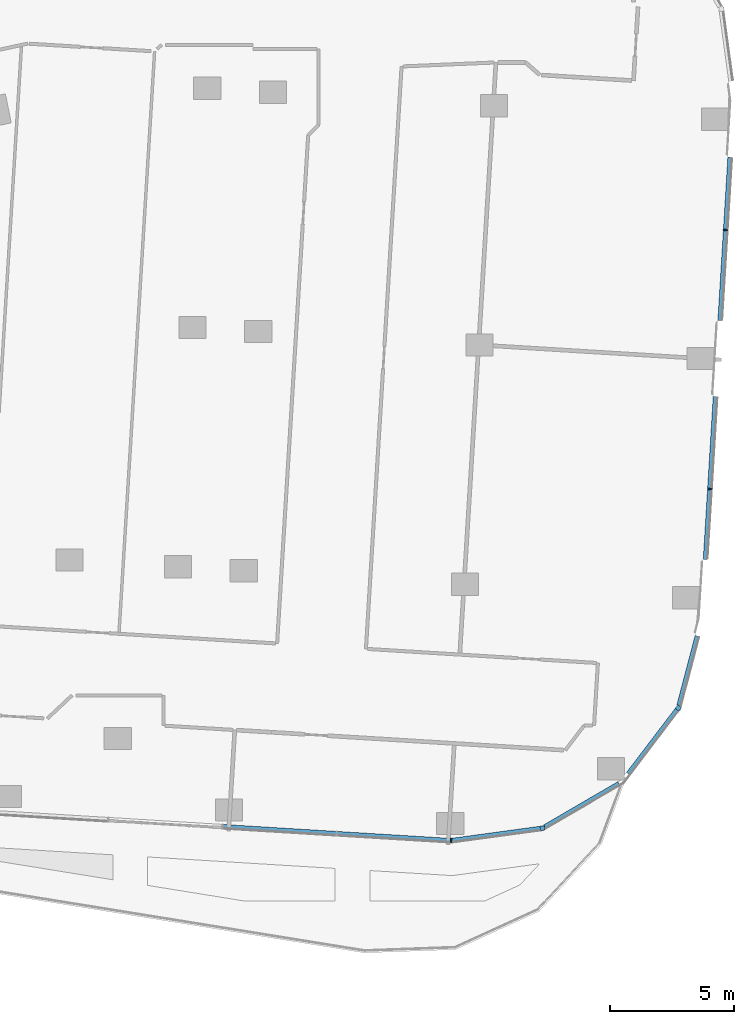
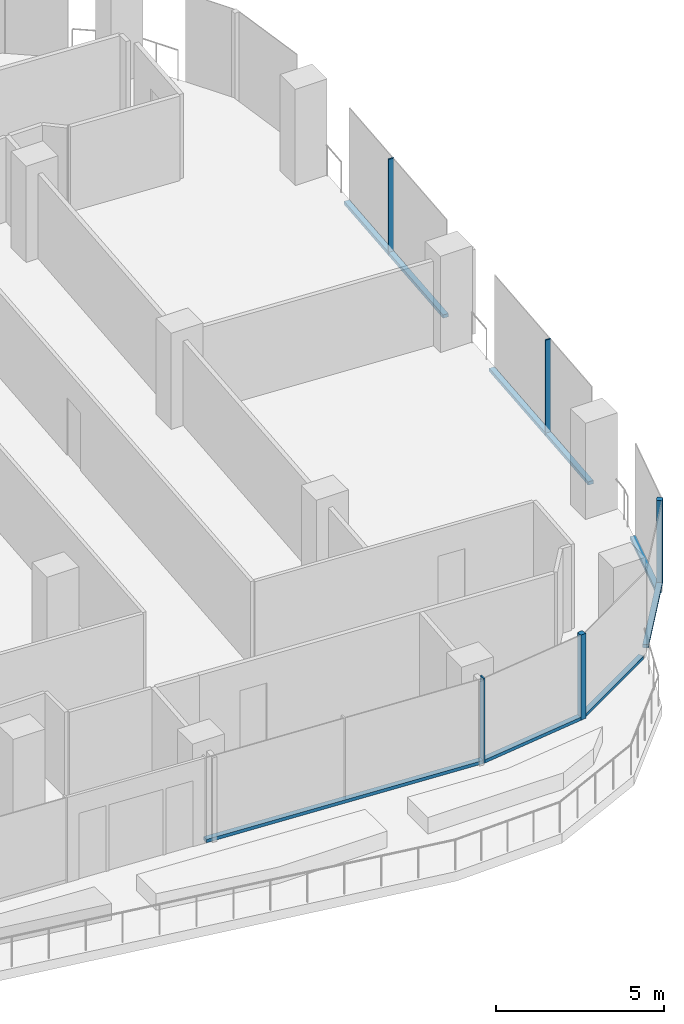
# One storey, part 8 of 34: 12 members, 6 elements without a shape of their own.
"""IFC4 building model written with IfcOpenShell, lengths in metres."""

from ifc_helpers import new_model, si_unit, direction, frame, origin, origin_2d, place, context, subcontext, project, spatial, rectangle, extrude, material, material_profile, profile_set, type_object, element, aggregate, save


model = new_model("IFC4")

# Units and contexts
model_context = context("Model", 3, precision=1e-05, world=origin(), true_north=direction((0.0, 1.0)))
body_context = subcontext(model_context, "Body", "Model", "MODEL_VIEW")
ifc_project = project(units=[si_unit("LENGTHUNIT", "METRE"), si_unit("AREAUNIT", "SQUARE_METRE"), si_unit("VOLUMEUNIT", "CUBIC_METRE"), si_unit("PLANEANGLEUNIT", "RADIAN"), si_unit("MASSUNIT", "GRAM", prefix="KILO")], contexts=[model_context])

# Site, building, storey
site_placement = place(None, origin())
site = spatial("IfcSite", under=ifc_project, at=site_placement, CompositionType="ELEMENT")
building_placement = place(site_placement, origin())
building = spatial("IfcBuilding", under=site, at=building_placement, Name="Orlundy Tower", CompositionType="ELEMENT")
storey_placement = place(building_placement, frame((0.0, 0.0, 145.60009765625)))
storey = spatial("IfcBuildingStorey", under=building, at=storey_placement, Name="L37", CompositionType="ELEMENT", Elevation=145.60009765625)

# Curtain wall, member
ifc_material_1 = material(Name="Aluminium bronze anodised", Category="aluminium")
curtain_wall_type = type_object("IfcCurtainWallType", Name="CW1 wall", PredefinedType="NOTDEFINED", material=ifc_material_1)
curtain_wall_1_placement = place(storey_placement, origin())
curtain_wall_1 = element("IfcCurtainWall", 1, at=curtain_wall_1_placement, inside=storey, type_object=curtain_wall_type, Name="CW1 run 025", PredefinedType="NOTDEFINED")
ifc_material_2 = material(Name="Aluminium bronze anodised", Category="aluminium")
ifc_material_profile_1 = material_profile(ifc_material_2, rectangle(XDim=0.179931640625, YDim=0.179931640625, at=origin_2d()), Name="CW1 corner post 180x180")
ifc_profile_set_1 = profile_set([ifc_material_profile_1], Name="Aluminium bronze anodised")
member_type_1 = type_object("IfcMemberType", Name="CW1 corner post 180x180", PredefinedType="MULLION", material=ifc_profile_set_1)
member_1_placement = place(storey_placement, frame((58.884521484375, -17.79833984375, 0.0), z_axis=(0.0, 0.0, 1.0), x_axis=(0.796131001065, -0.605124308835, 0.0)))
member_1 = element("IfcMember", 2, at=member_1_placement, type_object=member_type_1, Name="CW1 mullion 66", PredefinedType="MULLION", context=body_context, shape_type="SweptSolid", body=[
    extrude(rectangle(XDim=0.179931640625, YDim=0.179931640625, at=origin_2d()), origin(), (0.0, 0.0, 1.0), 3.099853515625),
])

curtain_wall_2_placement = place(storey_placement, origin())
curtain_wall_2 = element("IfcCurtainWall", 3, at=curtain_wall_2_placement, inside=storey, type_object=curtain_wall_type, Name="CW1 run 027", PredefinedType="NOTDEFINED")
member_2_placement = place(storey_placement, frame((53.386962890625, -22.662841796875, 0.0), z_axis=(0.0, 0.0, 1.0), x_axis=(0.134884472094, -0.990861331967, 0.0)))
member_2 = element("IfcMember", 4, at=member_2_placement, type_object=member_type_1, Name="CW1 mullion 68", PredefinedType="MULLION", context=body_context, shape_type="SweptSolid", body=[
    extrude(rectangle(XDim=0.179931640625, YDim=0.179931640625, at=origin_2d()), origin(), (0.0, 0.0, 1.0), 3.099853515625),
])

curtain_wall_3_placement = place(storey_placement, origin())
curtain_wall_3 = element("IfcCurtainWall", 5, at=curtain_wall_3_placement, inside=storey, type_object=curtain_wall_type, Name="CW1 run 00", PredefinedType="NOTDEFINED")
ifc_material_3 = material(Name="Aluminium bronze anodised", Category="aluminium")
ifc_material_profile_2 = material_profile(ifc_material_3, rectangle(XDim=0.179931640625, YDim=0.050048828125, at=origin_2d()), Name="CW1 mullion 50x180")
ifc_profile_set_2 = profile_set([ifc_material_profile_2], Name="Aluminium bronze anodised")
member_type_2 = type_object("IfcMemberType", Name="CW1 mullion 50x180", PredefinedType="MULLION", material=ifc_profile_set_2)
member_3_placement = place(storey_placement, frame((49.687255859375, -23.166259765625, 0.0), z_axis=(0.0, 0.0, 1.0), x_axis=(0.037099562394, -0.99931157427, 0.0)))
member_3 = element("IfcMember", 6, at=member_3_placement, type_object=member_type_2, Name="CW1 mullion 1", PredefinedType="MULLION", context=body_context, shape_type="SweptSolid", body=[
    extrude(rectangle(XDim=0.179931640625, YDim=0.050048828125, at=origin_2d()), origin(), (0.0, 0.0, 1.0), 3.099853515625),
])

# Curtain wall, members
curtain_wall_4_placement = place(storey_placement, origin())
curtain_wall_4 = element("IfcCurtainWall", 7, at=curtain_wall_4_placement, inside=storey, type_object=curtain_wall_type, Name="CW1 run 023", PredefinedType="NOTDEFINED")
member_4_placement = place(storey_placement, frame((60.79736328125, 1.541259765625, -0.400146484375), z_axis=(0.0, 0.0, 1.0), x_axis=(0.998134884544, -0.061047131434, 0.0)))
member_4 = element("IfcMember", 8, at=member_4_placement, type_object=member_type_2, Name="CW1 mullion 62", PredefinedType="MULLION", context=body_context, shape_type="SweptSolid", body=[
    extrude(rectangle(XDim=0.179931640625, YDim=0.050048828125, at=origin_2d()), origin(), (0.0, 0.0, 1.0), 3.5),
])
member_5_placement = place(storey_placement, frame((60.15625, -8.939208984375, -0.400146484375), z_axis=(0.0, 0.0, 1.0), x_axis=(0.998134884544, -0.061047131434, 0.0)))
member_5 = element("IfcMember", 9, at=member_5_placement, type_object=member_type_2, Name="CW1 mullion 64", PredefinedType="MULLION", context=body_context, shape_type="SweptSolid", body=[
    extrude(rectangle(XDim=0.179931640625, YDim=0.050048828125, at=origin_2d()), origin(), (0.0, 0.0, 1.0), 3.5),
])

# Member
ifc_material_4 = material(Name="Aluminium bronze anodised", Category="aluminium")
ifc_material_profile_3 = material_profile(ifc_material_4, rectangle(XDim=0.179931640625, YDim=0.1201171875, at=origin_2d()), Name="CW1 transom 180x120")
ifc_profile_set_3 = profile_set([ifc_material_profile_3], Name="Aluminium bronze anodised")
member_type_3 = type_object("IfcMemberType", Name="CW1 transom 180x120", PredefinedType="USERDEFINED", material=ifc_profile_set_3)
member_6_placement = place(storey_placement, frame((49.662353515625, -23.164794921875, 0.059814453125), z_axis=(-0.998135645362, 0.06103469061, 0.0), x_axis=(-0.06103469061, -0.998135645362, 0.0)))
member_6 = element("IfcMember", 10, at=member_6_placement, type_object=member_type_3, Name="CW1 transom", ObjectType="TRANSOM", PredefinedType="USERDEFINED", context=body_context, shape_type="SweptSolid", body=[
    extrude(rectangle(XDim=0.179931640625, YDim=0.1201171875, at=origin_2d()), origin(), (0.0, 0.0, 1.0), 9.219970703125),
])

aggregate(curtain_wall_3, [member_3, member_6])

member_7_placement = place(storey_placement, frame((60.977294921875, 4.485595703125, -0.340087890625), z_axis=(-0.061015500948, -0.9981368186, 0.0), x_axis=(0.9981368186, -0.061015500948, 0.0)))
member_7 = element("IfcMember", 11, at=member_7_placement, type_object=member_type_3, Name="CW1 transom", ObjectType="TRANSOM", PredefinedType="USERDEFINED", context=body_context, shape_type="SweptSolid", body=[
    extrude(rectangle(XDim=0.179931640625, YDim=0.1201171875, at=origin_2d()), origin(), (0.0, 0.0, 1.0), 6.614013671875),
])

member_8_placement = place(storey_placement, frame((60.38525390625, -5.197998046875, -0.340087890625), z_axis=(-0.061067248869, -0.998133653934, 0.0), x_axis=(0.998133653934, -0.061067248869, 0.0)))
member_8 = element("IfcMember", 12, at=member_8_placement, type_object=member_type_3, Name="CW1 transom", ObjectType="TRANSOM", PredefinedType="USERDEFINED", context=body_context, shape_type="SweptSolid", body=[
    extrude(rectangle(XDim=0.179931640625, YDim=0.1201171875, at=origin_2d()), origin(), (0.0, 0.0, 1.0), 6.608642578125),
])

aggregate(curtain_wall_4, [member_4, member_5, member_7, member_8])

# Curtain wall, member
curtain_wall_5_placement = place(storey_placement, origin())
curtain_wall_5 = element("IfcCurtainWall", 13, at=curtain_wall_5_placement, inside=storey, type_object=curtain_wall_type, Name="CW1 run 024", PredefinedType="NOTDEFINED")
member_9_placement = place(storey_placement, frame((59.652099609375, -14.8837890625, -0.340087890625), z_axis=(-0.254728155611, -0.96701270247, 0.0), x_axis=(0.96701270247, -0.254728155611, 0.0)))
member_9 = element("IfcMember", 14, at=member_9_placement, type_object=member_type_3, Name="CW1 transom", ObjectType="TRANSOM", PredefinedType="USERDEFINED", context=body_context, shape_type="SweptSolid", body=[
    extrude(rectangle(XDim=0.179931640625, YDim=0.1201171875, at=origin_2d()), origin(), (0.0, 0.0, 1.0), 2.91650390625),
])
aggregate(curtain_wall_5, [member_9])

# Member
member_10_placement = place(storey_placement, frame((58.830078125, -17.869873046875, 0.059814453125), z_axis=(-0.605113705062, -0.796139060684, 0.0), x_axis=(0.796139060684, -0.605113705062, 0.0)))
member_10 = element("IfcMember", 15, at=member_10_placement, type_object=member_type_3, Name="CW1 transom", ObjectType="TRANSOM", PredefinedType="USERDEFINED", context=body_context, shape_type="SweptSolid", body=[
    extrude(rectangle(XDim=0.179931640625, YDim=0.1201171875, at=origin_2d()), origin(), (0.0, 0.0, 1.0), 3.25390625),
])

aggregate(curtain_wall_1, [member_1, member_10])

# Curtain wall, member
curtain_wall_6_placement = place(storey_placement, origin())
curtain_wall_6 = element("IfcCurtainWall", 16, at=curtain_wall_6_placement, inside=storey, type_object=curtain_wall_type, Name="CW1 run 026", PredefinedType="NOTDEFINED")
member_11_placement = place(storey_placement, frame((56.478759765625, -20.860107421875, 0.059814453125), z_axis=(-0.863890782548, -0.503679179468, 0.0), x_axis=(0.503679179468, -0.863890782548, 0.0)))
member_11 = element("IfcMember", 17, at=member_11_placement, type_object=member_type_3, Name="CW1 transom", ObjectType="TRANSOM", PredefinedType="USERDEFINED", context=body_context, shape_type="SweptSolid", body=[
    extrude(rectangle(XDim=0.179931640625, YDim=0.1201171875, at=origin_2d()), origin(), (0.0, 0.0, 1.0), 3.481689453125),
])
aggregate(curtain_wall_6, [member_11])

# Member
member_12_placement = place(storey_placement, frame((53.297607421875, -22.6748046875, 0.059814453125), z_axis=(-0.990853965346, -0.134938576242, 0.0), x_axis=(0.134938576242, -0.990853965346, 0.0)))
member_12 = element("IfcMember", 18, at=member_12_placement, type_object=member_type_3, Name="CW1 transom", ObjectType="TRANSOM", PredefinedType="USERDEFINED", context=body_context, shape_type="SweptSolid", body=[
    extrude(rectangle(XDim=0.179931640625, YDim=0.1201171875, at=origin_2d()), origin(), (0.0, 0.0, 1.0), 3.61865234375),
])

aggregate(curtain_wall_2, [member_2, member_12])

save(model, "model.ifc")
